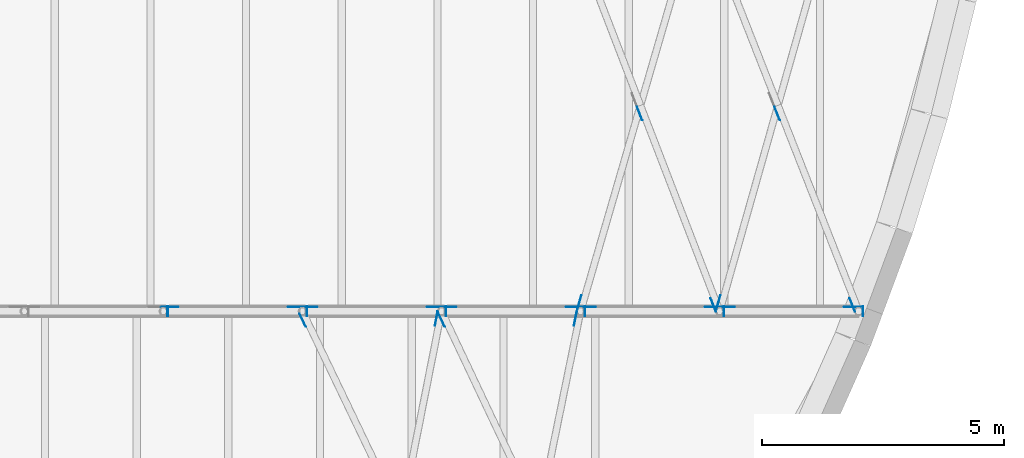
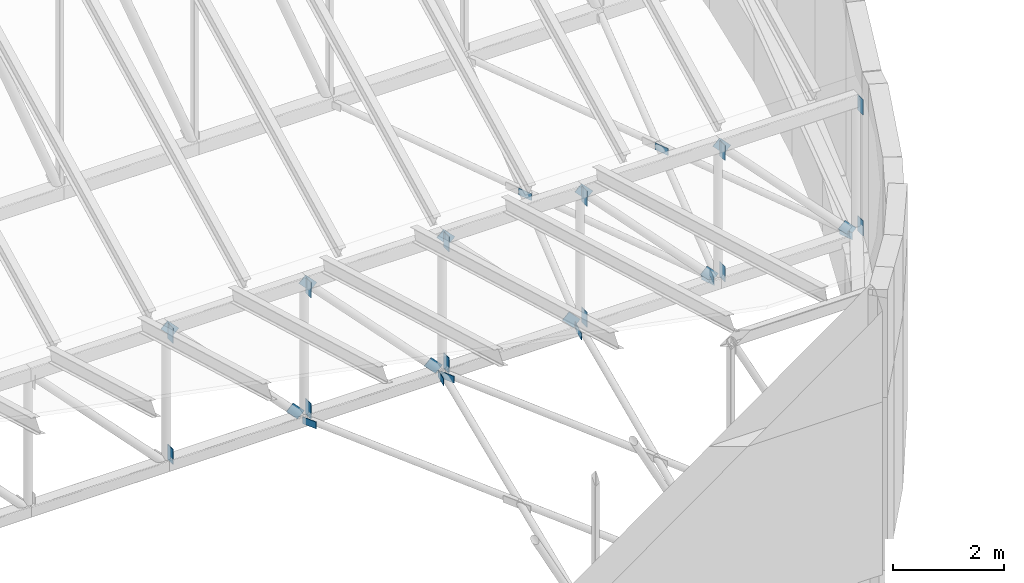
# One storey, part 55 of 68: 32 discrete accessories.
"""IFC4 building model written with IfcOpenShell, lengths in metres."""

from ifc_helpers import new_model, si_unit, direction, frame, origin, origin_2d, place, context, subcontext, project, spatial, rectangle, extrude, material, material_profile, profile_set, type_object, element, save


model = new_model("IFC4")

# Units and contexts
model_context = context("Model", 3, precision=1e-05, world=origin(), true_north=direction((0.0, 1.0)))
body_context = subcontext(model_context, "Body", "Model", "MODEL_VIEW")
ifc_project = project(units=[si_unit("LENGTHUNIT", "METRE"), si_unit("AREAUNIT", "SQUARE_METRE"), si_unit("VOLUMEUNIT", "CUBIC_METRE"), si_unit("PLANEANGLEUNIT", "RADIAN"), si_unit("MASSUNIT", "GRAM", prefix="KILO")], contexts=[model_context])

# Site, building, storey
site_placement = place(None, origin())
site = spatial("IfcSite", under=ifc_project, at=site_placement, CompositionType="ELEMENT")
building_placement = place(site_placement, origin())
building = spatial("IfcBuilding", under=site, at=building_placement, Name="Larchfold Concert Hall", CompositionType="ELEMENT")
storey_placement = place(building_placement, frame((0.0, 0.0, 28.800048828125)))
storey = spatial("IfcBuildingStorey", under=building, at=storey_placement, Name="L06", CompositionType="ELEMENT", Elevation=28.800048828125)

# Discrete accessories
ifc_material_1 = material(Name="Steel S355 galvanised bracket", Category="steel")
ifc_material_profile_1 = material_profile(ifc_material_1, rectangle(XDim=0.011962890625, YDim=0.14990234375, at=origin_2d()))
ifc_profile_set_1 = profile_set([ifc_material_profile_1], Name="Steel S355 galvanised bracket")
discrete_accessory_type_1 = type_object("IfcDiscreteAccessoryType", Name="Gusset plate 12x150", PredefinedType="BRACKET", material=ifc_profile_set_1)
for number, where, z_axis, x_axis, name in (
    (1, (58.247314453125, 68.1015625, 0.0), (0.199401877541, 0.979917798202, 0.0), (-0.979917798202, 0.199401877541, 0.0), "Gusset plate GP0566"),
    (2, (55.58349609375, 68.078125, 0.0), (-0.427246580432, 0.904135144494, 0.0), (-0.904135144494, -0.427246580432, 0.0), "Gusset plate GP0570"),
    (3, (55.37890625, 68.1005859375, 0.0), (0.193612426683, 0.98107809487, 0.0), (-0.98107809487, 0.193612426683, 0.0), "Gusset plate GP0572"),
    (4, (52.71533203125, 68.07861328125, 0.0), (-0.432175339096, 0.901789596457, 0.0), (-0.901789596457, -0.432175339096, 0.0), "Gusset plate GP0576"),
):
    element("IfcDiscreteAccessory", number, at=place(storey_placement, frame(where, z_axis=z_axis, x_axis=x_axis)), inside=storey, type_object=discrete_accessory_type_1, Name=name, PredefinedType="BRACKET", context=body_context, shape_type="SweptSolid", body=[
        extrude(rectangle(XDim=0.011962890625, YDim=0.14990234375, at=origin_2d()), origin(), (0.0, 0.0, 1.0), 0.300048828125),
    ])
discrete_accessory_1_placement = place(storey_placement, frame((61.18798828125, 68.439697265625, 0.0), z_axis=(0.272464540386, 0.962165824706, 0.0), x_axis=(-0.962165824706, 0.272464540386, 0.0)))
element("IfcDiscreteAccessory", 5, at=discrete_accessory_1_placement, inside=storey, type_object=discrete_accessory_type_1, Name="Gusset plate GP0589", PredefinedType="BRACKET", context=body_context, shape_type="SweptSolid", body=[
    extrude(rectangle(XDim=0.011962890625, YDim=0.14990234375, at=origin_2d()), origin(), (0.0, 0.0, 1.0), 0.30029296875),
])
discrete_accessory_2_placement = place(storey_placement, frame((64.0478515625, 68.390869140625, 0.0), z_axis=(-0.365350251046, 0.930870127387, 0.0), x_axis=(-0.930870127387, -0.365350251046, 0.0)))
element("IfcDiscreteAccessory", 6, at=discrete_accessory_2_placement, inside=storey, type_object=discrete_accessory_type_1, Name="Gusset plate GP0591", PredefinedType="BRACKET", context=body_context, shape_type="SweptSolid", body=[
    extrude(rectangle(XDim=0.011962890625, YDim=0.14990234375, at=origin_2d()), origin(), (0.0, 0.0, 1.0), 0.300048828125),
])
discrete_accessory_3_placement = place(storey_placement, frame((62.49658203125, 72.341796875, 0.0), z_axis=(-0.36562717803, 0.930761390844, 0.0), x_axis=(-0.930761390844, -0.36562717803, 0.0)))
element("IfcDiscreteAccessory", 7, at=discrete_accessory_3_placement, inside=storey, type_object=discrete_accessory_type_1, Name="Gusset plate GP0592", PredefinedType="BRACKET", context=body_context, shape_type="SweptSolid", body=[
    extrude(rectangle(XDim=0.011962890625, YDim=0.14990234375, at=origin_2d()), origin(), (0.0, 0.0, 1.0), 0.2998046875),
])
for number, where, z_axis, x_axis, name in (
    (8, (58.318359375, 68.440185546875, 0.0), (0.279124912547, 0.960254801183, 0.0), (-0.960254801183, 0.279124912547, 0.0), "Gusset plate GP0595"),
    (9, (61.177734375, 68.391357421875, 0.0), (-0.359578666426, 0.93311477464, 0.0), (-0.93311477464, -0.359578666426, 0.0), "Gusset plate GP0597"),
):
    element("IfcDiscreteAccessory", number, at=place(storey_placement, frame(where, z_axis=z_axis, x_axis=x_axis)), inside=storey, type_object=discrete_accessory_type_1, Name=name, PredefinedType="BRACKET", context=body_context, shape_type="SweptSolid", body=[
        extrude(rectangle(XDim=0.011962890625, YDim=0.14990234375, at=origin_2d()), origin(), (0.0, 0.0, 1.0), 0.300048828125),
    ])
discrete_accessory_4_placement = place(storey_placement, frame((59.657470703125, 72.341552734375, 0.0), z_axis=(-0.359142789905, 0.933282624107, 0.0), x_axis=(-0.933282624107, -0.359142789905, 0.0)))
element("IfcDiscreteAccessory", 10, at=discrete_accessory_4_placement, inside=storey, type_object=discrete_accessory_type_1, Name="Gusset plate GP0598", PredefinedType="BRACKET", context=body_context, shape_type="SweptSolid", body=[
    extrude(rectangle(XDim=0.011962890625, YDim=0.14990234375, at=origin_2d()), origin(), (0.0, 0.0, 1.0), 0.2998046875),
])
ifc_material_2 = material(Name="Steel S355 galvanised bracket", Category="steel")
ifc_material_profile_2 = material_profile(ifc_material_2, rectangle(XDim=0.011962890625, YDim=0.199951171875, at=origin_2d()))
ifc_profile_set_2 = profile_set([ifc_material_profile_2], Name="Steel S355 galvanised bracket")
discrete_accessory_type_2 = type_object("IfcDiscreteAccessoryType", Name="Gusset plate 12x200", PredefinedType="BRACKET", material=ifc_profile_set_2)
for number, where, z_axis, x_axis, name in (
    (11, (49.865478515625, 68.39990234375, 3.0), (0.0, 0.0, -1.0), (1.0, 0.0, 0.0), "Gusset plate GP0193"),
    (12, (49.865478515625, 68.39990234375, 0.336669921875), (0.0, 0.0, -1.0), (1.0, 0.0, 0.0), "Gusset plate GP0194"),
    (13, (52.735595703125, 68.39990234375, 3.0), (0.0, 0.0, -1.0), (1.0, 0.0, 0.0), "Gusset plate GP0195"),
    (14, (52.735595703125, 68.39990234375, 0.336669921875), (0.0, 0.0, -1.0), (1.0, 0.0, 0.0), "Gusset plate GP0196"),
    (15, (55.60546875, 68.39990234375, 3.0), (0.0, 0.0, -1.0), (1.0, 0.0, 0.0), "Gusset plate GP0197"),
    (16, (55.60546875, 68.39990234375, 0.336669921875), (0.0, 0.0, -1.0), (1.0, 0.0, 0.0), "Gusset plate GP0198"),
    (17, (58.4755859375, 68.39990234375, 3.0), (0.0, 0.0, -1.0), (1.0, 0.0, 0.0), "Gusset plate GP0199"),
    (18, (58.4755859375, 68.39990234375, 0.336669921875), (0.0, 0.0, -1.0), (1.0, 0.0, 0.0), "Gusset plate GP0200"),
    (19, (61.345703125, 68.39990234375, 3.0), (0.0, 0.0, -1.0), (1.0, 0.0, 0.0), "Gusset plate GP0201"),
    (20, (61.345703125, 68.39990234375, 0.336669921875), (0.0, 0.0, -1.0), (1.0, 0.0, 0.0), "Gusset plate GP0202"),
    (21, (64.2158203125, 68.39990234375, 3.0), (0.0, 0.0, -1.0), (1.0, 0.0, 0.0), "Gusset plate GP0203"),
    (22, (64.2158203125, 68.39990234375, 0.336669921875), (0.0, 0.0, -1.0), (1.0, 0.0, 0.0), "Gusset plate GP0204"),
):
    element("IfcDiscreteAccessory", number, at=place(storey_placement, frame(where, z_axis=z_axis, x_axis=x_axis)), inside=storey, type_object=discrete_accessory_type_2, Name=name, PredefinedType="BRACKET", context=body_context, shape_type="SweptSolid", body=[
        extrude(rectangle(XDim=0.011962890625, YDim=0.199951171875, at=origin_2d()), origin(), (0.0, 0.0, 1.0), 0.336669921875),
    ])
for number, where, z_axis, x_axis, name in (
    (23, (49.789306640625, 68.489990234375, 2.985595703125), (0.691337933084, 0.0, -0.722531564902), (0.0, 1.0, 0.0), "Gusset plate GP0225"),
    (24, (52.39892578125, 68.489990234375, 0.257568359375), (0.691337933084, 0.0, -0.722531564902), (0.0, 1.0, 0.0), "Gusset plate GP0226"),
    (25, (52.659423828125, 68.489990234375, 2.985595703125), (0.691337933084, 0.0, -0.722531564902), (0.0, 1.0, 0.0), "Gusset plate GP0227"),
    (26, (55.268798828125, 68.489990234375, 0.257568359375), (0.691337933084, 0.0, -0.722531564902), (0.0, 1.0, 0.0), "Gusset plate GP0228"),
    (27, (55.529296875, 68.489990234375, 2.985595703125), (0.691337933084, 0.0, -0.722531564902), (0.0, 1.0, 0.0), "Gusset plate GP0229"),
    (28, (58.138916015625, 68.489990234375, 0.257568359375), (0.691337933084, 0.0, -0.722531564902), (0.0, 1.0, 0.0), "Gusset plate GP0230"),
    (29, (58.3994140625, 68.489990234375, 2.985595703125), (0.691337933084, 0.0, -0.722531564902), (0.0, 1.0, 0.0), "Gusset plate GP0231"),
    (30, (61.009033203125, 68.489990234375, 0.257568359375), (0.691337933084, 0.0, -0.722531564902), (0.0, 1.0, 0.0), "Gusset plate GP0232"),
    (31, (61.26953125, 68.489990234375, 2.985595703125), (0.691337933084, 0.0, -0.722531564902), (0.0, 1.0, 0.0), "Gusset plate GP0233"),
    (32, (63.879150390625, 68.489990234375, 0.257568359375), (0.691337933084, 0.0, -0.722531564902), (0.0, 1.0, 0.0), "Gusset plate GP0234"),
):
    element("IfcDiscreteAccessory", number, at=place(storey_placement, frame(where, z_axis=z_axis, x_axis=x_axis)), inside=storey, type_object=discrete_accessory_type_2, Name=name, PredefinedType="BRACKET", context=body_context, shape_type="SweptSolid", body=[
        extrude(rectangle(XDim=0.011962890625, YDim=0.199951171875, at=origin_2d()), origin(), (0.0, 0.0, 1.0), 0.33642578125),
    ])

save(model, "model.ifc")
